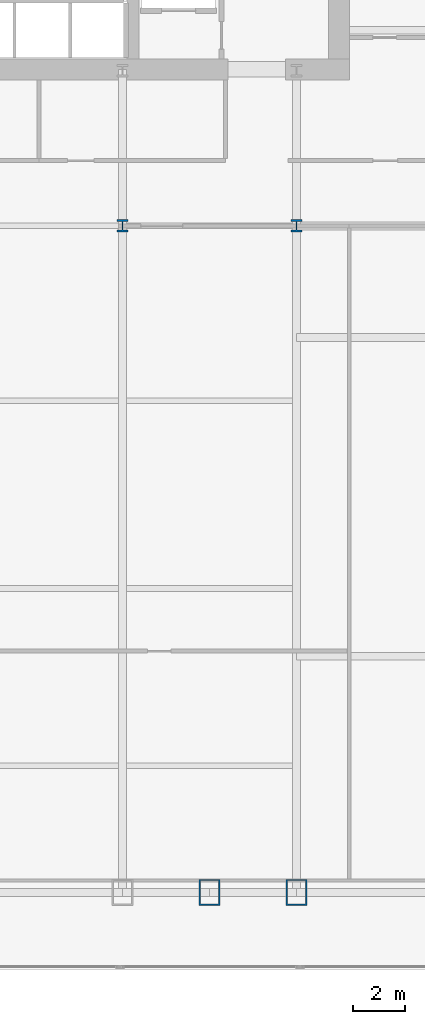
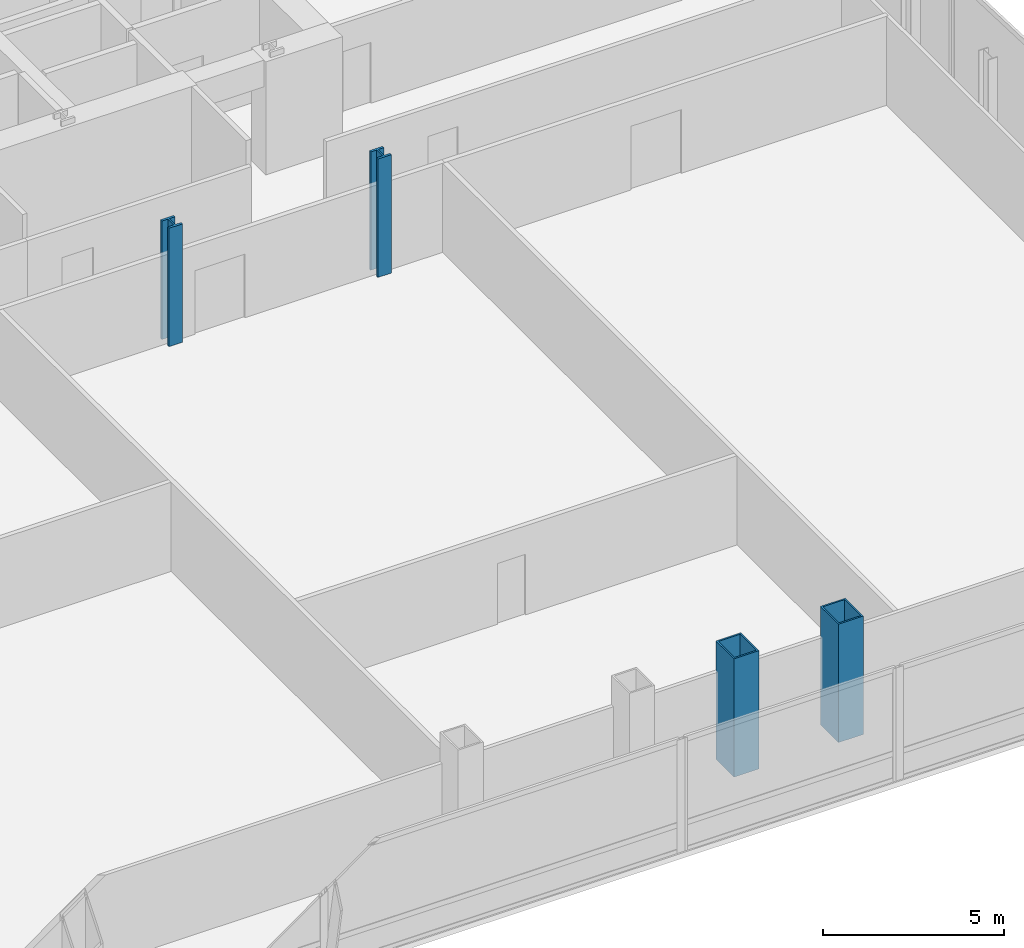
# One storey, part 2 of 32: 4 columns.
"""IFC4 building model written with IfcOpenShell, lengths in metres."""

from ifc_helpers import new_model, si_unit, direction, frame, origin, origin_2d, place, context, subcontext, project, spatial, hollow_rectangle, i_section, extrude, material, material_profile, profile_set, type_object, element, save


model = new_model("IFC4")

# Units and contexts
model_context = context("Model", 3, precision=1e-05, world=origin(), true_north=direction((0.0, 1.0)))
body_context = subcontext(model_context, "Body", "Model", "MODEL_VIEW")
ifc_project = project(units=[si_unit("LENGTHUNIT", "METRE"), si_unit("AREAUNIT", "SQUARE_METRE"), si_unit("VOLUMEUNIT", "CUBIC_METRE"), si_unit("PLANEANGLEUNIT", "RADIAN"), si_unit("MASSUNIT", "GRAM", prefix="KILO")], contexts=[model_context])

# Site, building, storey
site_placement = place(None, origin())
site = spatial("IfcSite", under=ifc_project, at=site_placement, CompositionType="ELEMENT")
building_placement = place(site_placement, origin())
building = spatial("IfcBuilding", under=site, at=building_placement, Name="Khoronbel Lancet Exchange", CompositionType="ELEMENT")
storey_placement = place(building_placement, frame((0.0, 0.0, 29.800048828125)))
storey = spatial("IfcBuildingStorey", under=building, at=storey_placement, Name="L06", CompositionType="ELEMENT", Elevation=29.800048828125)

# Columns
ifc_material = material(Name="Steel S460", Category="steel")
ifc_material_profile_1 = material_profile(ifc_material, hollow_rectangle(XDim=0.800048828125, YDim=1.0, WallThickness=0.054931640625, at=origin_2d()), Name="BOX 1000x800x55")
ifc_profile_set_1 = profile_set([ifc_material_profile_1], Name="Steel S460")
column_type_1 = type_object("IfcColumnType", Name="COL-EC1", PredefinedType="COLUMN", material=ifc_profile_set_1)
for number, where, z_axis, x_axis, name in (
    (1, (51.33740234375, 10.14990234375, 0.0), (0.0, 0.0, 1.0), (1.0, 0.0, 0.0), "Structural column SC-EM L06"),
    (2, (54.675048828125, 10.14990234375, 0.0), (0.0, 0.0, 1.0), (1.0, 0.0, 0.0), "Structural column SC-E2 L06"),
):
    element("IfcColumn", number, at=place(storey_placement, frame(where, z_axis=z_axis, x_axis=x_axis)), inside=storey, type_object=column_type_1, Name=name, PredefinedType="COLUMN", context=body_context, shape_type="SweptSolid", body=[
        extrude(hollow_rectangle(XDim=0.800048828125, YDim=1.0, WallThickness=0.054931640625, at=origin_2d()), origin(), (0.0, 0.0, 1.0), 4.0),
    ])
ifc_material_profile_2 = material_profile(ifc_material, i_section(OverallWidth=0.424072265625, OverallDepth=0.47412109375, WebThickness=0.047607421875, FlangeThickness=0.076904296875, at=origin_2d()), Name="HD 400x634")
ifc_profile_set_2 = profile_set([ifc_material_profile_2], Name="Steel S460")
column_type_2 = type_object("IfcColumnType", Name="COL-IC1", PredefinedType="COLUMN", material=ifc_profile_set_2)
for number, where, z_axis, x_axis, name in (
    (3, (48.0, 35.699951171875, 0.0), (0.0, 0.0, 1.0), (1.0, 0.0, 0.0), "Spine gravity column TC3 L06"),
    (4, (54.675048828125, 35.699951171875, 0.0), (0.0, 0.0, 1.0), (1.0, 0.0, 0.0), "Spine gravity column TC4 L06"),
):
    element("IfcColumn", number, at=place(storey_placement, frame(where, z_axis=z_axis, x_axis=x_axis)), inside=storey, type_object=column_type_2, Name=name, PredefinedType="COLUMN", context=body_context, shape_type="SweptSolid", body=[
        extrude(i_section(OverallWidth=0.424072265625, OverallDepth=0.47412109375, WebThickness=0.047607421875, FlangeThickness=0.076904296875, at=origin_2d()), origin(), (0.0, 0.0, 1.0), 4.0),
    ])

save(model, "model.ifc")
